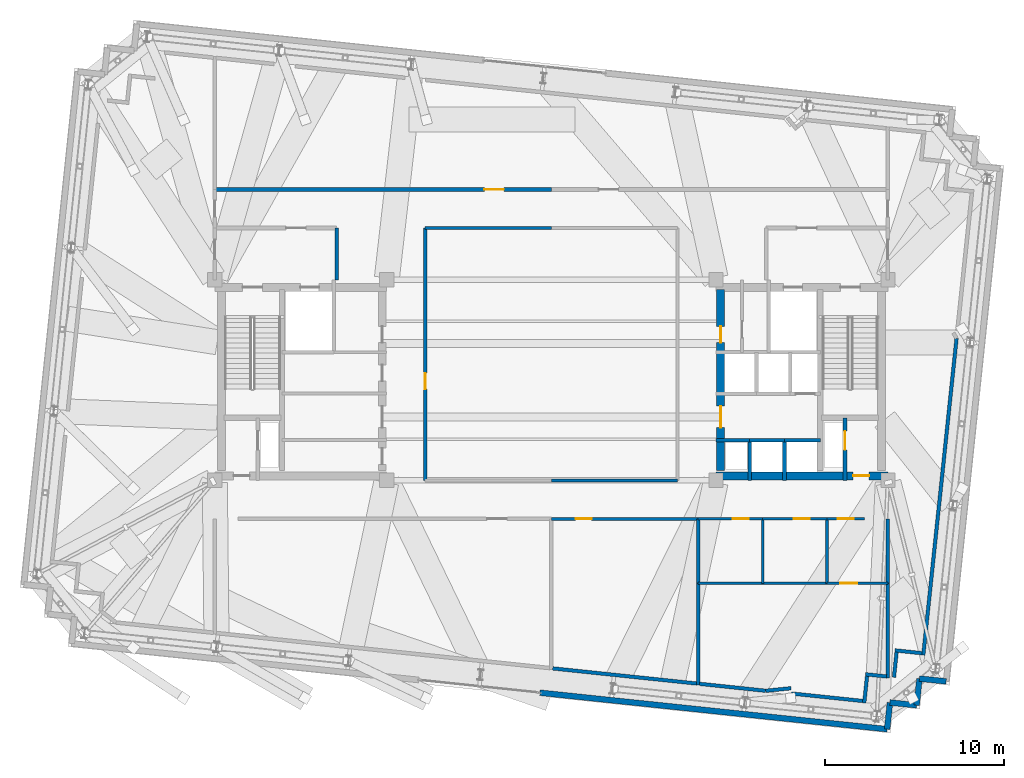
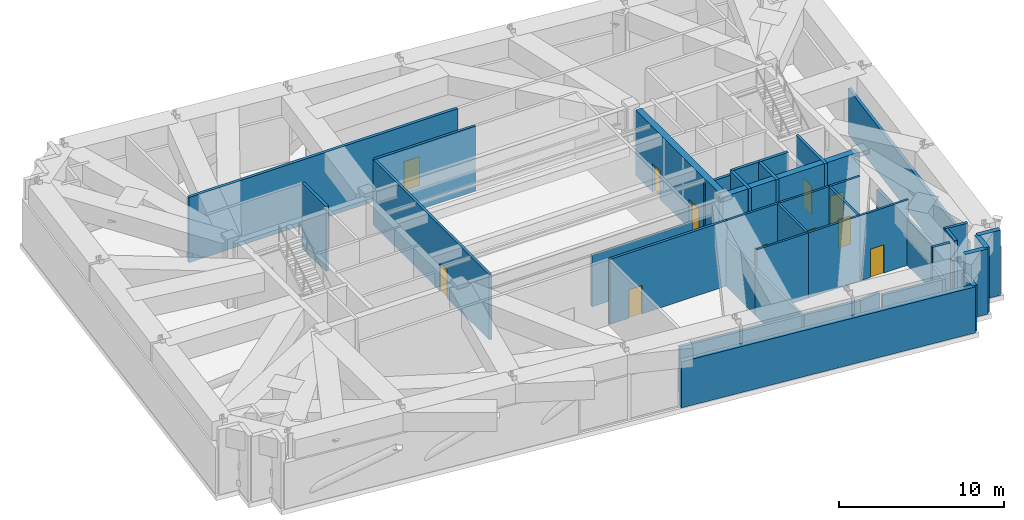
# One storey, part 17 of 21: 40 walls, 11 doors, 11 openings.
"""IFC4 building model written with IfcOpenShell, lengths in metres."""

from ifc_helpers import new_model, si_unit, direction, frame, frame_2d, origin, place, context, subcontext, project, spatial, rectangle, extrude, material, layer, layer_set, type_object, element, fill, save


model = new_model("IFC4")

# Units and contexts
model_context = context("Model", 3, precision=1e-05, world=origin(), true_north=direction((0.0, 1.0)))
body_context = subcontext(model_context, "Body", "Model", "MODEL_VIEW")
ifc_project = project(units=[si_unit("LENGTHUNIT", "METRE"), si_unit("AREAUNIT", "SQUARE_METRE"), si_unit("VOLUMEUNIT", "CUBIC_METRE"), si_unit("PLANEANGLEUNIT", "RADIAN"), si_unit("MASSUNIT", "GRAM", prefix="KILO")], contexts=[model_context])

# Site, building, storey
site_placement = place(None, origin())
site = spatial("IfcSite", under=ifc_project, at=site_placement, CompositionType="ELEMENT")
building_placement = place(site_placement, origin())
building = spatial("IfcBuilding", under=site, at=building_placement, Name="Qobustan Lattice House", CompositionType="ELEMENT")
storey_placement = place(building_placement, frame((0.0, 0.0, 223.199951171875)))
storey = spatial("IfcBuildingStorey", under=building, at=storey_placement, Name="L63", CompositionType="ELEMENT", Elevation=223.199951171875)

# Wall, opening, door
ifc_material_1 = material(Name="Concrete C50/60", Category="concrete")
ifc_layer_1 = layer(ifc_material_1, 0.43994140625)
ifc_layer_set_1 = layer_set([ifc_layer_1], Name="Concrete C50/60")
wall_type_1 = type_object("IfcWallType", Name="WAL-CORE-440", PredefinedType="SHEAR", material=ifc_layer_set_1)
wall_1_placement = place(storey_placement, frame((9.199951171875, -5.35009765625, 0.0), z_axis=(0.0, 0.0, 1.0), x_axis=(1.0, 0.0, 0.0)))
wall_1 = element("IfcWall", 1, at=wall_1_placement, inside=storey, type_object=wall_type_1, Name="L63 split-core shear wall CE-S", PredefinedType="SHEAR", context=body_context, shape_type="SweptSolid", body=[
    extrude(rectangle(XDim=9.60009765625, YDim=0.43994140625, at=frame_2d((4.800048828125, 0.0))), origin(), (0.0, 0.0, 1.0), 4.820068359375),
])
opening_1_placement = place(wall_1_placement, frame((7.64990234375, 0.0, 0.0)))
opening_1 = element("IfcOpeningElement", 2, at=opening_1_placement, cuts=wall_1, Name="Opening RD-01", PredefinedType="OPENING", context=body_context, shape_type="SweptSolid", body=[
    extrude(rectangle(XDim=0.89990234375, YDim=2.10009765625, at=frame_2d((0.449951171875, 1.050048828125))), frame((0.0, 0.22998046875, 0.0), z_axis=(0.0, -1.0, 0.0), x_axis=(1.0, 0.0, 0.0)), (0.0, 0.0, 1.0), 0.4599609375),
])
ifc_material_2 = material(Name="Persian walnut timber and steel frame door", Category="steel")
door_type_1 = type_object("IfcDoorType", Name="DOR-RISER-FD-900x2100", OperationType="NOTDEFINED", PredefinedType="DOOR", material=ifc_material_2)
door_1_placement = place(opening_1_placement, origin())
door_1 = element("IfcDoor", 3, at=door_1_placement, inside=storey, type_object=door_type_1, Name="L63 core service riser access door E", OperationType="SINGLE_SWING_RIGHT", OverallHeight=2.10009765625, OverallWidth=0.89990234375, PredefinedType="DOOR", context=body_context, shape_type="SweptSolid", body=[
    extrude(rectangle(XDim=0.89990234375, YDim=2.10009765625, at=frame_2d((0.449951171875, 1.050048828125))), frame((0.0, 0.02490234375, 0.0), z_axis=(0.0, -1.0, 0.0), x_axis=(1.0, 0.0, 0.0)), (0.0, 0.0, 1.0), 0.050048828125),
])
fill(opening_1, door_1)

# Wall, openings, doors
wall_2_placement = place(storey_placement, frame((9.449951171875, -5.050048828125, 0.0), z_axis=(0.0, 0.0, 1.0), x_axis=(0.0, 1.0, 0.0)))
wall_2 = element("IfcWall", 4, at=wall_2_placement, inside=storey, type_object=wall_type_1, Name="L63 split-core shear wall CE-W", PredefinedType="SHEAR", context=body_context, shape_type="SweptSolid", body=[
    extrude(rectangle(XDim=10.10009765625, YDim=0.43994140625, at=frame_2d((5.050048828125, 0.0))), origin(), (0.0, 0.0, 1.0), 4.820068359375),
])
opening_2_placement = place(wall_2_placement, frame((7.14990234375, 0.0, 0.0)))
opening_2 = element("IfcOpeningElement", 5, at=opening_2_placement, cuts=wall_2, Name="Opening RD-01", PredefinedType="OPENING", context=body_context, shape_type="SweptSolid", body=[
    extrude(rectangle(XDim=0.89990234375, YDim=2.10009765625, at=frame_2d((0.449951171875, 1.050048828125))), frame((0.0, 0.22998046875, 0.0), z_axis=(0.0, -1.0, 0.0), x_axis=(1.0, 0.0, 0.0)), (0.0, 0.0, 1.0), 0.4599609375),
])
opening_3_placement = place(wall_2_placement, frame((2.39990234375, 0.0, 0.0)))
opening_3 = element("IfcOpeningElement", 6, at=opening_3_placement, cuts=wall_2, Name="Opening FD-01", PredefinedType="OPENING", context=body_context, shape_type="SweptSolid", body=[
    extrude(rectangle(XDim=1.199951171875, YDim=2.14990234375, at=frame_2d((0.60009765625, 1.074951171875))), frame((0.0, 0.22998046875, 0.0), z_axis=(0.0, -1.0, 0.0), x_axis=(1.0, 0.0, 0.0)), (0.0, 0.0, 1.0), 0.4599609375),
])
ifc_material_3 = material(Name="Persian walnut timber and steel frame door", Category="steel")
door_type_2 = type_object("IfcDoorType", Name="DOR-LOBBY-FD-1200x2150", OperationType="NOTDEFINED", PredefinedType="DOOR", material=ifc_material_3)
door_2_placement = place(opening_3_placement, origin())
door_2 = element("IfcDoor", 7, at=door_2_placement, inside=storey, type_object=door_type_2, Name="L63 East passenger lift lobby fire door", OperationType="SINGLE_SWING_LEFT", OverallHeight=2.14990234375, OverallWidth=1.199951171875, PredefinedType="DOOR", context=body_context, shape_type="SweptSolid", body=[
    extrude(rectangle(XDim=1.199951171875, YDim=2.14990234375, at=frame_2d((0.60009765625, 1.074951171875))), frame((0.0, 0.02490234375, 0.0), z_axis=(0.0, -1.0, 0.0), x_axis=(1.0, 0.0, 0.0)), (0.0, 0.0, 1.0), 0.050048828125),
])
fill(opening_3, door_2)
door_3_placement = place(opening_2_placement, origin())
door_3 = element("IfcDoor", 8, at=door_3_placement, inside=storey, type_object=door_type_1, Name="L63 Print and mail closet fire door", OperationType="SINGLE_SWING_RIGHT", OverallHeight=2.10009765625, OverallWidth=0.89990234375, PredefinedType="DOOR", context=body_context, shape_type="SweptSolid", body=[
    extrude(rectangle(XDim=0.89990234375, YDim=2.10009765625, at=frame_2d((0.449951171875, 1.050048828125))), frame((0.0, 0.02490234375, 0.0), z_axis=(0.0, -1.0, 0.0), x_axis=(1.0, 0.0, 0.0)), (0.0, 0.0, 1.0), 0.050048828125),
])
fill(opening_2, door_3)

# Walls
ifc_material_4 = material(Name="Precast concrete C40/50", Category="concrete")
ifc_layer_2 = layer(ifc_material_4, 0.320068359375)
ifc_layer_set_2 = layer_set([ifc_layer_2], Name="Precast concrete C40/50")
wall_type_2 = type_object("IfcWallType", Name="WAL-EXT-STONE-320", PredefinedType="SOLIDWALL", material=ifc_layer_set_2)
wall_3_placement = place(storey_placement, frame((22.052978515625, -16.828369140625, 0.0), z_axis=(0.0, 0.0, 1.0), x_axis=(-0.994526834051, 0.104481464157, 0.0)))
element("IfcWall", 9, at=wall_3_placement, inside=storey, type_object=wall_type_2, Name="L63 exterior limestone-clad wall 16", PredefinedType="SOLIDWALL", context=body_context, shape_type="SweptSolid", body=[
    extrude(rectangle(XDim=1.500244140625, YDim=0.320068359375, at=frame_2d((0.75, 0.0))), origin(), (0.0, 0.0, 1.0), 4.820068359375),
])
for number, where, z_axis, x_axis, name in (
    (10, (20.56103515625, -16.671630859375, 0.0), (0.0, 0.0, 1.0), (-0.104498377516, -0.994525057048, 0.0), "L63 exterior limestone-clad wall 17"),
    (11, (20.404296875, -18.163330078125, 0.0), (0.0, 0.0, 1.0), (-0.994525057048, 0.104498377516, 0.0), "L63 exterior limestone-clad wall 18"),
):
    element("IfcWall", number, at=place(storey_placement, frame(where, z_axis=z_axis, x_axis=x_axis)), inside=storey, type_object=wall_type_2, Name=name, PredefinedType="SOLIDWALL", context=body_context, shape_type="SweptSolid", body=[
        extrude(rectangle(XDim=1.5, YDim=0.320068359375, at=frame_2d((0.75, 0.0))), origin(), (0.0, 0.0, 1.0), 4.820068359375),
    ])
wall_4_placement = place(storey_placement, frame((18.91259765625, -18.006591796875, 0.0), z_axis=(0.0, 0.0, 1.0), x_axis=(-0.104498377516, -0.994525057048, 0.0)))
element("IfcWall", 12, at=wall_4_placement, inside=storey, type_object=wall_type_2, Name="L63 exterior limestone-clad wall 19", PredefinedType="SOLIDWALL", context=body_context, shape_type="SweptSolid", body=[
    extrude(rectangle(XDim=1.5, YDim=0.320068359375, at=frame_2d((0.75, 0.0))), origin(), (0.0, 0.0, 1.0), 3.405029296875),
])
wall_5_placement = place(storey_placement, frame((18.755859375, -19.498291015625, 0.0), z_axis=(0.0, 0.0, 1.0), x_axis=(-0.994523138159, 0.104516638224, 0.0)))
element("IfcWall", 13, at=wall_5_placement, inside=storey, type_object=wall_type_2, Name="L63 exterior stone wall 20A", PredefinedType="SOLIDWALL", context=body_context, shape_type="SweptSolid", body=[
    extrude(rectangle(XDim=19.5, YDim=0.320068359375, at=frame_2d((9.75, 0.0))), origin(), (0.0, 0.0, 1.0), 3.405029296875),
])
ifc_material_5 = material(Name="Gypsum fireboard acoustic partition", Category="gypsum")
ifc_layer_3 = layer(ifc_material_5, 0.179931640625)
ifc_layer_set_3 = layer_set([ifc_layer_3], Name="Gypsum fireboard acoustic partition")
wall_type_3 = type_object("IfcWallType", Name="WAL-FIRE-180", PredefinedType="PARTITIONING", material=ifc_layer_set_3)
wall_6_placement = place(storey_placement, frame((0.0, 8.5, 0.0), z_axis=(0.0, 0.0, 1.0), x_axis=(-1.0, 0.0, 0.0)))
element("IfcWall", 14, at=wall_6_placement, inside=storey, type_object=wall_type_3, Name="L63 interior partition 33", PredefinedType="PARTITIONING", context=body_context, shape_type="SweptSolid", body=[
    extrude(rectangle(XDim=7.050048828125, YDim=0.179931640625, at=frame_2d((3.52490234375, 0.0))), origin(), (0.0, 0.0, 1.0), 4.820068359375),
])

# Wall, opening, door
wall_7_placement = place(storey_placement, frame((8.199951171875, -7.75, 0.0), z_axis=(0.0, 0.0, 1.0), x_axis=(-1.0, 0.0, 0.0)))
wall_7 = element("IfcWall", 15, at=wall_7_placement, inside=storey, type_object=wall_type_3, Name="L63 interior partition 39", PredefinedType="PARTITIONING", context=body_context, shape_type="SweptSolid", body=[
    extrude(rectangle(XDim=8.199951171875, YDim=0.179931640625, at=frame_2d((4.10009765625, 0.0))), origin(), (0.0, 0.0, 1.0), 4.820068359375),
])
opening_4_placement = place(wall_7_placement, frame((5.952392578125, 0.0, 0.0)))
opening_4 = element("IfcOpeningElement", 16, at=opening_4_placement, cuts=wall_7, Name="Opening RD-01", PredefinedType="OPENING", context=body_context, shape_type="SweptSolid", body=[
    extrude(rectangle(XDim=0.89990234375, YDim=2.10009765625, at=frame_2d((0.449951171875, 1.050048828125))), frame((0.0, 0.099853515625, 0.0), z_axis=(0.0, -1.0, 0.0), x_axis=(1.0, 0.0, 0.0)), (0.0, 0.0, 1.0), 0.199951171875),
])
door_4_placement = place(opening_4_placement, origin())
door_4 = element("IfcDoor", 17, at=door_4_placement, inside=storey, type_object=door_type_1, Name="L63 South-east mechanical plant corridor to Zone AHU chiller and HV switchgear plant door", OperationType="SINGLE_SWING_LEFT", OverallHeight=2.10009765625, OverallWidth=0.89990234375, PredefinedType="DOOR", context=body_context, shape_type="SweptSolid", body=[
    extrude(rectangle(XDim=0.89990234375, YDim=2.10009765625, at=frame_2d((0.449951171875, 1.050048828125))), frame((0.0, 0.02490234375, 0.0), z_axis=(0.0, -1.0, 0.0), x_axis=(1.0, 0.0, 0.0)), (0.0, 0.0, 1.0), 0.050048828125),
])
fill(opening_4, door_4)

# Wall
wall_8_placement = place(storey_placement, frame((0.0, -5.60009765625, 0.0), z_axis=(0.0, 0.0, 1.0), x_axis=(1.0, 0.0, 0.0)))
element("IfcWall", 18, at=wall_8_placement, inside=storey, type_object=wall_type_3, Name="L63 interior partition 43", PredefinedType="PARTITIONING", context=body_context, shape_type="SweptSolid", body=[
    extrude(rectangle(XDim=7.050048828125, YDim=0.179931640625, at=frame_2d((3.52490234375, 0.0))), origin(), (0.0, 0.0, 1.0), 3.797119140625),
])

# Wall, opening, door
wall_9_placement = place(storey_placement, frame((-7.050048828125, 8.5, 0.0), z_axis=(0.0, 0.0, 1.0), x_axis=(0.0, -1.0, 0.0)))
wall_9 = element("IfcWall", 19, at=wall_9_placement, inside=storey, type_object=wall_type_3, Name="L63 interior partition 44", PredefinedType="PARTITIONING", context=body_context, shape_type="SweptSolid", body=[
    extrude(rectangle(XDim=14.10009765625, YDim=0.179931640625, at=frame_2d((7.050048828125, 0.0))), origin(), (0.0, 0.0, 1.0), 4.820068359375),
])
opening_5_placement = place(wall_9_placement, frame((8.10498046875, 0.0, 0.0)))
opening_5 = element("IfcOpeningElement", 20, at=opening_5_placement, cuts=wall_9, Name="Opening RD-01", PredefinedType="OPENING", context=body_context, shape_type="SweptSolid", body=[
    extrude(rectangle(XDim=0.89990234375, YDim=2.10009765625, at=frame_2d((0.449951171875, 1.050048828125))), frame((0.0, 0.099853515625, 0.0), z_axis=(0.0, -1.0, 0.0), x_axis=(1.0, 0.0, 0.0)), (0.0, 0.0, 1.0), 0.199951171875),
])
door_5_placement = place(opening_5_placement, origin())
door_5 = element("IfcDoor", 21, at=door_5_placement, inside=storey, type_object=door_type_1, Name="L63 West mechanical plant link corridor to High-rise transfer sky lobby door", OperationType="SINGLE_SWING_LEFT", OverallHeight=2.10009765625, OverallWidth=0.89990234375, PredefinedType="DOOR", context=body_context, shape_type="SweptSolid", body=[
    extrude(rectangle(XDim=0.89990234375, YDim=2.10009765625, at=frame_2d((0.449951171875, 1.050048828125))), frame((0.0, 0.02490234375, 0.0), z_axis=(0.0, -1.0, 0.0), x_axis=(1.0, 0.0, 0.0)), (0.0, 0.0, 1.0), 0.050048828125),
])
fill(opening_5, door_5)

# Walls
wall_10_placement = place(storey_placement, frame((8.199951171875, -7.75, 0.0), z_axis=(0.0, 0.0, 1.0), x_axis=(0.0, -1.0, 0.0)))
element("IfcWall", 22, at=wall_10_placement, inside=storey, type_object=wall_type_3, Name="L63 interior partition 52", PredefinedType="PARTITIONING", context=body_context, shape_type="SweptSolid", body=[
    extrude(rectangle(XDim=3.60009765625, YDim=0.179931640625, at=frame_2d((1.800048828125, 0.0))), origin(), (0.0, 0.0, 1.0), 3.405029296875),
])
wall_11_placement = place(storey_placement, frame((8.199951171875, -11.35009765625, 0.0), z_axis=(0.0, 0.0, 1.0), x_axis=(0.0, -1.0, 0.0)))
element("IfcWall", 23, at=wall_11_placement, inside=storey, type_object=wall_type_3, Name="L63 interior partition 53", PredefinedType="PARTITIONING", context=body_context, shape_type="SweptSolid", body=[
    extrude(rectangle(XDim=5.681396484375, YDim=0.179931640625, at=frame_2d((2.8408203125, 0.0))), origin(), (0.0, 0.0, 1.0), 3.405029296875),
])

# Wall, opening, door
ifc_material_6 = material(Name="Acoustic twin-stud gypsum partition", Category="gypsum")
ifc_layer_4 = layer(ifc_material_6, 0.14990234375)
ifc_layer_set_4 = layer_set([ifc_layer_4], Name="Acoustic twin-stud gypsum partition")
wall_type_4 = type_object("IfcWallType", Name="WAL-PART-150", PredefinedType="PARTITIONING", material=ifc_layer_set_4)
wall_12_placement = place(storey_placement, frame((17.5, -7.75, 0.0), z_axis=(0.0, 0.0, 1.0), x_axis=(-1.0, 0.0, 0.0)))
wall_12 = element("IfcWall", 24, at=wall_12_placement, inside=storey, type_object=wall_type_4, Name="L63 interior partition 42", PredefinedType="PARTITIONING", context=body_context, shape_type="SweptSolid", body=[
    extrude(rectangle(XDim=2.10009765625, YDim=0.14990234375, at=frame_2d((1.050048828125, 0.0))), origin(), (0.0, 0.0, 1.0), 4.820068359375),
])
opening_6_placement = place(wall_12_placement, frame((0.60009765625, 0.0, 0.0)))
opening_6 = element("IfcOpeningElement", 25, at=opening_6_placement, cuts=wall_12, Name="Opening WD-01", PredefinedType="OPENING", context=body_context, shape_type="SweptSolid", body=[
    extrude(rectangle(XDim=0.89990234375, YDim=2.10009765625, at=frame_2d((0.449951171875, 1.050048828125))), frame((0.0, 0.0849609375, 0.0), z_axis=(0.0, -1.0, 0.0), x_axis=(1.0, 0.0, 0.0)), (0.0, 0.0, 1.0), 0.169921875),
])
ifc_material_7 = material(Name="Persian walnut timber and steel frame door", Category="steel")
door_type_3 = type_object("IfcDoorType", Name="DOR-WET-900x2100", OperationType="NOTDEFINED", PredefinedType="DOOR", material=ifc_material_7)
door_6_placement = place(opening_6_placement, origin())
door_6 = element("IfcDoor", 26, at=door_6_placement, inside=storey, type_object=door_type_3, Name="L63 South-east mechanical plant corridor to Janitor supply store door", OperationType="SINGLE_SWING_RIGHT", OverallHeight=2.10009765625, OverallWidth=0.89990234375, PredefinedType="DOOR", context=body_context, shape_type="SweptSolid", body=[
    extrude(rectangle(XDim=0.89990234375, YDim=2.10009765625, at=frame_2d((0.449951171875, 1.050048828125))), frame((0.0, 0.02490234375, 0.0), z_axis=(0.0, -1.0, 0.0), x_axis=(1.0, 0.0, 0.0)), (0.0, 0.0, 1.0), 0.050048828125),
])
fill(opening_6, door_6)

wall_13_placement = place(storey_placement, frame((18.800048828125, -11.35009765625, 0.0), z_axis=(0.0, 0.0, 1.0), x_axis=(-1.0, 0.0, 0.0)))
wall_13 = element("IfcWall", 27, at=wall_13_placement, inside=storey, type_object=wall_type_4, Name="L63 interior partition 58", PredefinedType="PARTITIONING", context=body_context, shape_type="SweptSolid", body=[
    extrude(rectangle(XDim=3.400146484375, YDim=0.14990234375, at=frame_2d((1.7001953125, 0.0))), origin(), (0.0, 0.0, 1.0), 4.820068359375),
])
opening_7_placement = place(wall_13_placement, frame((1.708740234375, 0.0, 0.0)))
opening_7 = element("IfcOpeningElement", 28, at=opening_7_placement, cuts=wall_13, Name="Opening ID-01", PredefinedType="OPENING", context=body_context, shape_type="SweptSolid", body=[
    extrude(rectangle(XDim=0.949951171875, YDim=2.10009765625, at=frame_2d((0.47509765625, 1.050048828125))), frame((0.0, 0.0849609375, 0.0), z_axis=(0.0, -1.0, 0.0), x_axis=(1.0, 0.0, 0.0)), (0.0, 0.0, 1.0), 0.169921875),
])
ifc_material_8 = material(Name="Persian walnut timber and steel frame door", Category="steel")
door_type_4 = type_object("IfcDoorType", Name="DOR-ROOM-950x2100", OperationType="NOTDEFINED", PredefinedType="DOOR", material=ifc_material_8)
door_7_placement = place(opening_7_placement, origin())
door_7 = element("IfcDoor", 29, at=door_7_placement, inside=storey, type_object=door_type_4, Name="L63 Janitor supply store to Equipment and archive store door", OperationType="SINGLE_SWING_RIGHT", OverallHeight=2.10009765625, OverallWidth=0.949951171875, PredefinedType="DOOR", context=body_context, shape_type="SweptSolid", body=[
    extrude(rectangle(XDim=0.949951171875, YDim=2.10009765625, at=frame_2d((0.47509765625, 1.050048828125))), frame((0.0, 0.02490234375, 0.0), z_axis=(0.0, -1.0, 0.0), x_axis=(1.0, 0.0, 0.0)), (0.0, 0.0, 1.0), 0.050048828125),
])
fill(opening_7, door_7)

# Walls
ifc_material_9 = material(Name="Two-hour gypsum fireboard acoustic partition", Category="gypsum")
ifc_layer_5 = layer(ifc_material_9, 0.199951171875)
ifc_layer_set_5 = layer_set([ifc_layer_5], Name="Two-hour gypsum fireboard acoustic partition")
wall_type_5 = type_object("IfcWallType", Name="WAL-PROT-200", PredefinedType="PARTITIONING", material=ifc_layer_set_5)
wall_14_placement = place(storey_placement, frame((8.125, -16.9482421875, 0.0), z_axis=(0.0, 0.0, 1.0), x_axis=(-0.994520647217, 0.104540337951, 0.0)))
element("IfcWall", 30, at=wall_14_placement, inside=storey, type_object=wall_type_5, Name="L63 perimeter belt-truss plenum enclosure wall 15", PredefinedType="PARTITIONING", context=body_context, shape_type="SweptSolid", body=[
    extrude(rectangle(XDim=8.094482421875, YDim=0.199951171875, at=frame_2d((4.04736328125, 0.0))), origin(), (0.0, 0.0, 1.0), 3.405029296875),
])
wall_15_placement = place(storey_placement, frame((18.72509765625, -16.553955078125, 0.0), z_axis=(0.0, 0.0, 1.0), x_axis=(-0.994525721776, 0.104492051016, 0.0)))
element("IfcWall", 31, at=wall_15_placement, inside=storey, type_object=wall_type_5, Name="L63 perimeter belt-truss plenum enclosure wall 22", PredefinedType="PARTITIONING", context=body_context, shape_type="SweptSolid", body=[
    extrude(rectangle(XDim=1.18701171875, YDim=0.199951171875, at=frame_2d((0.593505859375, 0.0))), origin(), (0.0, 0.0, 1.0), 4.820068359375),
])
wall_16_placement = place(storey_placement, frame((17.635009765625, -16.52783203125, 0.0), z_axis=(0.0, 0.0, 1.0), x_axis=(-0.104457867749, -0.994529312723, 0.0)))
element("IfcWall", 32, at=wall_16_placement, inside=storey, type_object=wall_type_5, Name="L63 perimeter belt-truss plenum enclosure wall 23", PredefinedType="PARTITIONING", context=body_context, shape_type="SweptSolid", body=[
    extrude(rectangle(XDim=1.51220703125, YDim=0.199951171875, at=frame_2d((0.756103515625, 0.0))), origin(), (0.0, 0.0, 1.0), 3.405029296875),
])
wall_17_placement = place(storey_placement, frame((17.39990234375, -17.923095703125, 0.0), z_axis=(0.0, 0.0, 1.0), x_axis=(-0.994519140616, 0.10455466966, 0.0)))
element("IfcWall", 33, at=wall_17_placement, inside=storey, type_object=wall_type_5, Name="L63 perimeter belt-truss plenum enclosure wall 24", PredefinedType="PARTITIONING", context=body_context, shape_type="SweptSolid", body=[
    extrude(rectangle(XDim=4.004638671875, YDim=0.199951171875, at=frame_2d((2.00244140625, 0.0))), origin(), (0.0, 0.0, 1.0), 3.405029296875),
])
wall_18_placement = place(storey_placement, frame((13.3876953125, -17.210205078125, 0.0), z_axis=(0.0, 0.0, 1.0), x_axis=(-0.994953487572, -0.100337219261, 0.0)))
element("IfcWall", 34, at=wall_18_placement, inside=storey, type_object=wall_type_5, Name="L63 perimeter belt-truss plenum enclosure wall 25", PredefinedType="PARTITIONING", context=body_context, shape_type="SweptSolid", body=[
    extrude(rectangle(XDim=1.4208984375, YDim=0.199951171875, at=frame_2d((0.71044921875, 0.0))), origin(), (0.0, 0.0, 1.0), 3.405029296875),
])
wall_19_placement = place(storey_placement, frame((11.973876953125, -17.352783203125, 0.0), z_axis=(0.0, 0.0, 1.0), x_axis=(-0.994524858309, 0.104500268921, 0.0)))
element("IfcWall", 35, at=wall_19_placement, inside=storey, type_object=wall_type_5, Name="L63 perimeter belt-truss plenum enclosure wall 26", PredefinedType="PARTITIONING", context=body_context, shape_type="SweptSolid", body=[
    extrude(rectangle(XDim=3.71923828125, YDim=0.199951171875, at=frame_2d((1.859619140625, 0.0))), origin(), (0.0, 0.0, 1.0), 3.405029296875),
])
wall_20_placement = place(storey_placement, frame((22.634521484375, 2.33740234375, 0.0), z_axis=(0.0, 0.0, 1.0), x_axis=(-0.104533393484, -0.994521377169, 0.0)))
element("IfcWall", 36, at=wall_20_placement, inside=storey, type_object=wall_type_5, Name="L63 perimeter belt-truss plenum enclosure wall 29", PredefinedType="PARTITIONING", context=body_context, shape_type="SweptSolid", body=[
    extrude(rectangle(XDim=17.796630859375, YDim=0.199951171875, at=frame_2d((8.8984375, 0.0))), origin(), (0.0, 0.0, 1.0), 3.405029296875),
])
wall_21_placement = place(storey_placement, frame((20.697265625, -15.2529296875, 0.0), z_axis=(0.0, 0.0, 1.0), x_axis=(-0.994529312723, 0.104457867749, 0.0)))
element("IfcWall", 37, at=wall_21_placement, inside=storey, type_object=wall_type_5, Name="L63 perimeter belt-truss plenum enclosure wall 30", PredefinedType="PARTITIONING", context=body_context, shape_type="SweptSolid", body=[
    extrude(rectangle(XDim=1.51220703125, YDim=0.199951171875, at=frame_2d((0.756103515625, 0.0))), origin(), (0.0, 0.0, 1.0), 4.820068359375),
])
wall_22_placement = place(storey_placement, frame((19.28369140625, -15.19287109375, 0.0), z_axis=(0.0, 0.0, 1.0), x_axis=(-0.104603782261, -0.994513976139, 0.0)))
element("IfcWall", 38, at=wall_22_placement, inside=storey, type_object=wall_type_5, Name="L63 perimeter belt-truss plenum enclosure wall 31", PredefinedType="PARTITIONING", context=body_context, shape_type="SweptSolid", body=[
    extrude(rectangle(XDim=1.412109375, YDim=0.199951171875, at=frame_2d((0.7060546875, 0.0))), origin(), (0.0, 0.0, 1.0), 4.820068359375),
])
wall_23_placement = place(storey_placement, frame((-12.0, 5.60009765625, 0.0), z_axis=(0.0, 0.0, 1.0), x_axis=(0.0, 1.0, 0.0)))
element("IfcWall", 39, at=wall_23_placement, inside=storey, type_object=wall_type_5, Name="L63 interior partition 4", PredefinedType="PARTITIONING", context=body_context, shape_type="SweptSolid", body=[
    extrude(rectangle(XDim=2.89990234375, YDim=0.199951171875, at=frame_2d((1.449951171875, 0.0))), origin(), (0.0, 0.0, 1.0), 4.820068359375),
])

# Wall, opening, door
wall_24_placement = place(storey_placement, frame((-18.800048828125, 10.64990234375, 0.0), z_axis=(0.0, 0.0, 1.0), x_axis=(1.0, 0.0, 0.0)))
wall_24 = element("IfcWall", 40, at=wall_24_placement, inside=storey, type_object=wall_type_5, Name="L63 interior partition 32", PredefinedType="PARTITIONING", context=body_context, shape_type="SweptSolid", body=[
    extrude(rectangle(XDim=18.800048828125, YDim=0.199951171875, at=frame_2d((9.39990234375, 0.0))), origin(), (0.0, 0.0, 1.0), 4.820068359375),
])
opening_8_placement = place(wall_24_placement, frame((15.052490234375, 0.0, 0.0)))
opening_8 = element("IfcOpeningElement", 41, at=opening_8_placement, cuts=wall_24, Name="Opening SD-01", PredefinedType="OPENING", context=body_context, shape_type="SweptSolid", body=[
    extrude(rectangle(XDim=1.10009765625, YDim=2.14990234375, at=frame_2d((0.550048828125, 1.074951171875))), frame((0.0, 0.10986328125, 0.0), z_axis=(0.0, -1.0, 0.0), x_axis=(1.0, 0.0, 0.0)), (0.0, 0.0, 1.0), 0.219970703125),
])
ifc_material_10 = material(Name="Persian walnut timber and steel frame door", Category="steel")
door_type_5 = type_object("IfcDoorType", Name="DOR-STAIR-FD-1100x2150", OperationType="NOTDEFINED", PredefinedType="DOOR", material=ifc_material_10)
door_8_placement = place(opening_8_placement, origin())
door_8 = element("IfcDoor", 42, at=door_8_placement, inside=storey, type_object=door_type_5, Name="L63 North-west mechanical plant corridor to North protected refuge area door", OperationType="SINGLE_SWING_LEFT", OverallHeight=2.14990234375, OverallWidth=1.10009765625, PredefinedType="DOOR", context=body_context, shape_type="SweptSolid", body=[
    extrude(rectangle(XDim=1.10009765625, YDim=2.14990234375, at=frame_2d((0.550048828125, 1.074951171875))), frame((0.0, 0.02490234375, 0.0), z_axis=(0.0, -1.0, 0.0), x_axis=(1.0, 0.0, 0.0)), (0.0, 0.0, 1.0), 0.050048828125),
])
fill(opening_8, door_8)

# Walls
wall_25_placement = place(storey_placement, frame((18.800048828125, -11.35009765625, 0.0), z_axis=(0.0, 0.0, 1.0), x_axis=(0.0, 1.0, 0.0)))
element("IfcWall", 43, at=wall_25_placement, inside=storey, type_object=wall_type_5, Name="L63 interior partition 49", PredefinedType="PARTITIONING", context=body_context, shape_type="SweptSolid", body=[
    extrude(rectangle(XDim=3.60009765625, YDim=0.199951171875, at=frame_2d((1.800048828125, 0.0))), origin(), (0.0, 0.0, 1.0), 3.405029296875),
])
wall_26_placement = place(storey_placement, frame((18.800048828125, -16.63720703125, 0.0), z_axis=(0.0, 0.0, 1.0), x_axis=(0.0, 1.0, 0.0)))
element("IfcWall", 44, at=wall_26_placement, inside=storey, type_object=wall_type_5, Name="L63 interior partition 50", PredefinedType="PARTITIONING", context=body_context, shape_type="SweptSolid", body=[
    extrude(rectangle(XDim=5.287109375, YDim=0.199951171875, at=frame_2d((2.6435546875, 0.0))), origin(), (0.0, 0.0, 1.0), 3.405029296875),
])

# Wall, opening, door
ifc_material_11 = material(Name="Concrete C40/50", Category="concrete")
ifc_layer_6 = layer(ifc_material_11, 0.199951171875)
ifc_layer_set_6 = layer_set([ifc_layer_6], Name="Concrete C40/50")
wall_type_6 = type_object("IfcWallType", Name="WAL-SHAFT-200", PredefinedType="PARTITIONING", material=ifc_layer_set_6)
wall_27_placement = place(storey_placement, frame((16.39990234375, -2.110107421875, 0.0), z_axis=(0.0, 0.0, 1.0), x_axis=(0.0, -1.0, 0.0)))
wall_27 = element("IfcWall", 45, at=wall_27_placement, inside=storey, type_object=wall_type_6, Name="L63 interior partition 13", PredefinedType="PARTITIONING", context=body_context, shape_type="SweptSolid", body=[
    extrude(rectangle(XDim=3.489990234375, YDim=0.199951171875, at=frame_2d((1.7451171875, 0.0))), origin(), (0.0, 0.0, 1.0), 4.820068359375),
])
opening_9_placement = place(wall_27_placement, frame((0.739990234375, 0.0, 0.0)))
opening_9 = element("IfcOpeningElement", 46, at=opening_9_placement, cuts=wall_27, Name="Opening LD-01", PredefinedType="OPENING", context=body_context, shape_type="SweptSolid", body=[
    extrude(rectangle(XDim=1.050048828125, YDim=2.10009765625, at=frame_2d((0.52490234375, 1.050048828125))), frame((0.0, 0.10986328125, 0.0), z_axis=(0.0, -1.0, 0.0), x_axis=(1.0, 0.0, 0.0)), (0.0, 0.0, 1.0), 0.219970703125),
])
ifc_material_12 = material(Name="Persian walnut timber and steel frame door", Category="steel")
door_type_6 = type_object("IfcDoorType", Name="DOR-LIFT-LD-1050x2100", OperationType="NOTDEFINED", PredefinedType="DOOR", material=ifc_material_12)
door_9_placement = place(opening_9_placement, origin())
door_9 = element("IfcDoor", 47, at=door_9_placement, inside=storey, type_object=door_type_6, Name="L63 lift landing door", OperationType="DOUBLE_DOOR_SLIDING", OverallHeight=2.10009765625, OverallWidth=1.050048828125, PredefinedType="DOOR", context=body_context, shape_type="SweptSolid", body=[
    extrude(rectangle(XDim=1.050048828125, YDim=2.10009765625, at=frame_2d((0.52490234375, 1.050048828125))), frame((0.0, 0.02490234375, 0.0), z_axis=(0.0, -1.0, 0.0), x_axis=(1.0, 0.0, 0.0)), (0.0, 0.0, 1.0), 0.050048828125),
])
fill(opening_9, door_9)

# Walls
wall_28_placement = place(storey_placement, frame((9.199951171875, -3.35009765625, 0.0), z_axis=(0.0, 0.0, 1.0), x_axis=(1.0, 0.0, 0.0)))
element("IfcWall", 48, at=wall_28_placement, inside=storey, type_object=wall_type_6, Name="L63 interior partition 20", PredefinedType="PARTITIONING", context=body_context, shape_type="SweptSolid", body=[
    extrude(rectangle(XDim=1.880126953125, YDim=0.199951171875, at=frame_2d((0.93994140625, 0.0))), origin(), (0.0, 0.0, 1.0), 4.53515625),
])
wall_29_placement = place(storey_placement, frame((11.080078125, -3.35009765625, 0.0), z_axis=(0.0, 0.0, 1.0), x_axis=(1.0, 0.0, 0.0)))
element("IfcWall", 49, at=wall_29_placement, inside=storey, type_object=wall_type_6, Name="L63 interior partition 21", PredefinedType="PARTITIONING", context=body_context, shape_type="SweptSolid", body=[
    extrude(rectangle(XDim=1.93994140625, YDim=0.199951171875, at=frame_2d((0.969970703125, 0.0))), origin(), (0.0, 0.0, 1.0), 4.820068359375),
])
wall_30_placement = place(storey_placement, frame((13.02001953125, -3.35009765625, 0.0), z_axis=(0.0, 0.0, 1.0), x_axis=(1.0, 0.0, 0.0)))
element("IfcWall", 50, at=wall_30_placement, inside=storey, type_object=wall_type_6, Name="L63 interior partition 22", PredefinedType="PARTITIONING", context=body_context, shape_type="SweptSolid", body=[
    extrude(rectangle(XDim=2.0, YDim=0.199951171875, at=frame_2d((1.0, 0.0))), origin(), (0.0, 0.0, 1.0), 4.820068359375),
])
for number, where, z_axis, x_axis, name in (
    (51, (11.080078125, -5.60009765625, 0.0), (0.0, 0.0, 1.0), (0.0, 1.0, 0.0), "L63 interior partition 27"),
    (52, (13.02001953125, -5.60009765625, 0.0), (0.0, 0.0, 1.0), (0.0, 1.0, 0.0), "L63 interior partition 28"),
):
    element("IfcWall", number, at=place(storey_placement, frame(where, z_axis=z_axis, x_axis=x_axis)), inside=storey, type_object=wall_type_6, Name=name, PredefinedType="PARTITIONING", context=body_context, shape_type="SweptSolid", body=[
        extrude(rectangle(XDim=2.25, YDim=0.199951171875, at=frame_2d((1.125, 0.0))), origin(), (0.0, 0.0, 1.0), 4.820068359375),
    ])

# Wall, opening, door
ifc_material_13 = material(Name="Moisture-resistant acoustic plumbing wall", Category="gypsum")
ifc_layer_7 = layer(ifc_material_13, 0.14990234375)
ifc_layer_set_7 = layer_set([ifc_layer_7], Name="Moisture-resistant acoustic plumbing wall")
wall_type_7 = type_object("IfcWallType", Name="WAL-WET-150", PredefinedType="PLUMBINGWALL", material=ifc_layer_set_7)
wall_31_placement = place(storey_placement, frame((11.800048828125, -7.75, 0.0), z_axis=(0.0, 0.0, 1.0), x_axis=(-1.0, 0.0, 0.0)))
wall_31 = element("IfcWall", 53, at=wall_31_placement, inside=storey, type_object=wall_type_7, Name="L63 interior partition 40", PredefinedType="PLUMBINGWALL", context=body_context, shape_type="SweptSolid", body=[
    extrude(rectangle(XDim=3.60009765625, YDim=0.14990234375, at=frame_2d((1.800048828125, 0.0))), origin(), (0.0, 0.0, 1.0), 4.820068359375),
])
opening_10_placement = place(wall_31_placement, frame((0.7724609375, 0.0, 0.0)))
opening_10 = element("IfcOpeningElement", 54, at=opening_10_placement, cuts=wall_31, Name="Opening WD-01", PredefinedType="OPENING", context=body_context, shape_type="SweptSolid", body=[
    extrude(rectangle(XDim=0.89990234375, YDim=2.10009765625, at=frame_2d((0.449951171875, 1.050048828125))), frame((0.0, 0.0849609375, 0.0), z_axis=(0.0, -1.0, 0.0), x_axis=(1.0, 0.0, 0.0)), (0.0, 0.0, 1.0), 0.169921875),
])
door_10_placement = place(opening_10_placement, origin())
door_10 = element("IfcDoor", 55, at=door_10_placement, inside=storey, type_object=door_type_3, Name="L63 South-east mechanical plant corridor to Public WC door", OperationType="SINGLE_SWING_RIGHT", OverallHeight=2.10009765625, OverallWidth=0.89990234375, PredefinedType="DOOR", context=body_context, shape_type="SweptSolid", body=[
    extrude(rectangle(XDim=0.89990234375, YDim=2.10009765625, at=frame_2d((0.449951171875, 1.050048828125))), frame((0.0, 0.02490234375, 0.0), z_axis=(0.0, -1.0, 0.0), x_axis=(1.0, 0.0, 0.0)), (0.0, 0.0, 1.0), 0.050048828125),
])
fill(opening_10, door_10)

wall_32_placement = place(storey_placement, frame((15.39990234375, -7.75, 0.0), z_axis=(0.0, 0.0, 1.0), x_axis=(-1.0, 0.0, 0.0)))
wall_32 = element("IfcWall", 56, at=wall_32_placement, inside=storey, type_object=wall_type_7, Name="L63 interior partition 41", PredefinedType="PLUMBINGWALL", context=body_context, shape_type="SweptSolid", body=[
    extrude(rectangle(XDim=3.599853515625, YDim=0.14990234375, at=frame_2d((1.7998046875, 0.0))), origin(), (0.0, 0.0, 1.0), 4.820068359375),
])
opening_11_placement = place(wall_32_placement, frame((0.965087890625, 0.0, 0.0)))
opening_11 = element("IfcOpeningElement", 57, at=opening_11_placement, cuts=wall_32, Name="Opening WD-01", PredefinedType="OPENING", context=body_context, shape_type="SweptSolid", body=[
    extrude(rectangle(XDim=0.89990234375, YDim=2.10009765625, at=frame_2d((0.449951171875, 1.050048828125))), frame((0.0, 0.0849609375, 0.0), z_axis=(0.0, -1.0, 0.0), x_axis=(1.0, 0.0, 0.0)), (0.0, 0.0, 1.0), 0.169921875),
])
door_11_placement = place(opening_11_placement, origin())
door_11 = element("IfcDoor", 58, at=door_11_placement, inside=storey, type_object=door_type_3, Name="L63 South-east mechanical plant corridor to Accessible WC door", OperationType="SINGLE_SWING_LEFT", OverallHeight=2.10009765625, OverallWidth=0.89990234375, PredefinedType="DOOR", context=body_context, shape_type="SweptSolid", body=[
    extrude(rectangle(XDim=0.89990234375, YDim=2.10009765625, at=frame_2d((0.449951171875, 1.050048828125))), frame((0.0, 0.02490234375, 0.0), z_axis=(0.0, -1.0, 0.0), x_axis=(1.0, 0.0, 0.0)), (0.0, 0.0, 1.0), 0.050048828125),
])
fill(opening_11, door_11)

# Walls
for number, where, z_axis, x_axis, name in (
    (59, (11.800048828125, -7.75, 0.0), (0.0, 0.0, 1.0), (0.0, -1.0, 0.0), "L63 interior partition 54"),
    (60, (11.800048828125, -11.35009765625, 0.0), (0.0, 0.0, 1.0), (-1.0, 0.0, 0.0), "L63 interior partition 55"),
    (61, (15.39990234375, -7.75, 0.0), (0.0, 0.0, 1.0), (0.0, -1.0, 0.0), "L63 interior partition 56"),
):
    element("IfcWall", number, at=place(storey_placement, frame(where, z_axis=z_axis, x_axis=x_axis)), inside=storey, type_object=wall_type_7, Name=name, PredefinedType="PLUMBINGWALL", context=body_context, shape_type="SweptSolid", body=[
        extrude(rectangle(XDim=3.60009765625, YDim=0.14990234375, at=frame_2d((1.800048828125, 0.0))), origin(), (0.0, 0.0, 1.0), 4.820068359375),
    ])
wall_33_placement = place(storey_placement, frame((15.39990234375, -11.35009765625, 0.0), z_axis=(0.0, 0.0, 1.0), x_axis=(-1.0, 0.0, 0.0)))
element("IfcWall", 62, at=wall_33_placement, inside=storey, type_object=wall_type_7, Name="L63 interior partition 57", PredefinedType="PLUMBINGWALL", context=body_context, shape_type="SweptSolid", body=[
    extrude(rectangle(XDim=3.599853515625, YDim=0.14990234375, at=frame_2d((1.7998046875, 0.0))), origin(), (0.0, 0.0, 1.0), 4.820068359375),
])

save(model, "model.ifc")
